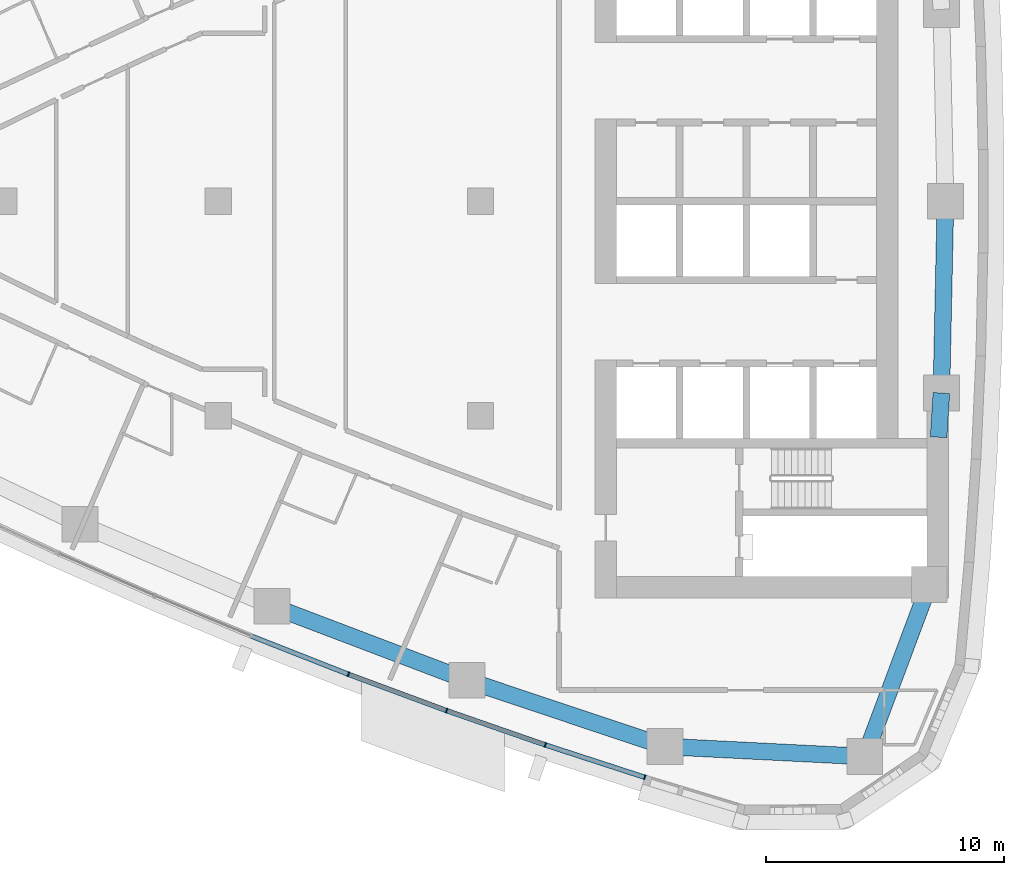
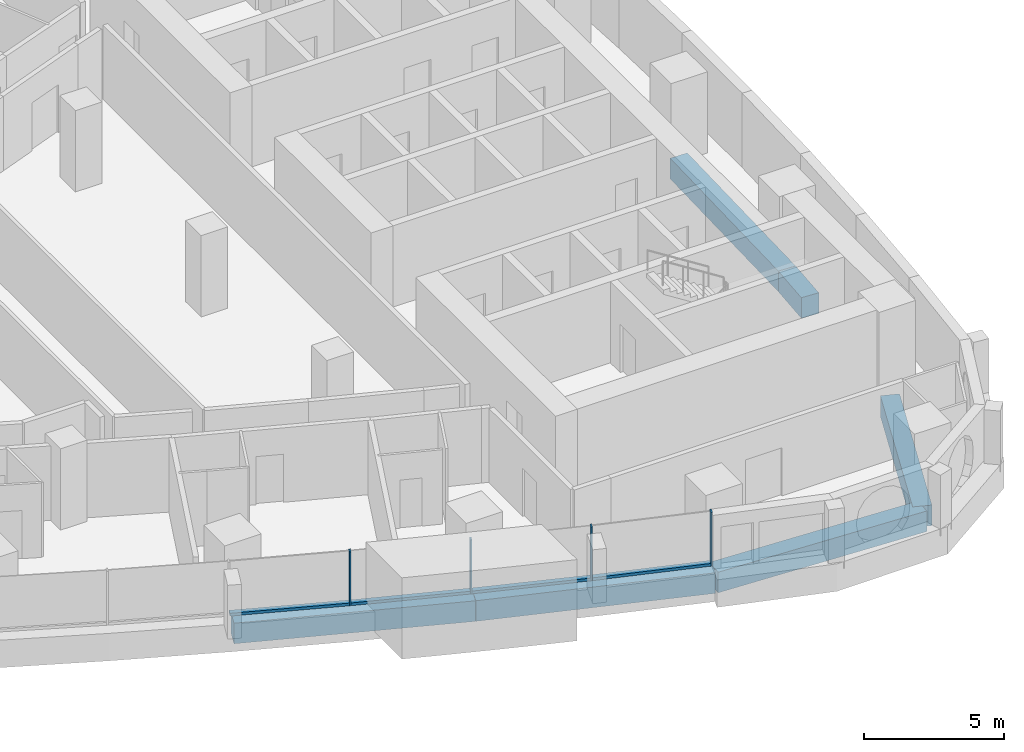
# One storey, part 3 of 17: 8 members, 6 beams, 2 elements without a shape of their own.
"""IFC4 building model written with IfcOpenShell, lengths in metres."""

from ifc_helpers import new_model, si_unit, direction, frame, origin, origin_2d, place, context, subcontext, project, spatial, rectangle, extrude, material, layer, layer_set, material_profile, profile_set, type_object, element, aggregate, save


model = new_model("IFC4")

# Units and contexts
model_context = context("Model", 3, precision=1e-05, world=origin(), true_north=direction((0.0, 1.0)))
body_context = subcontext(model_context, "Body", "Model", "MODEL_VIEW")
ifc_project = project(units=[si_unit("LENGTHUNIT", "METRE"), si_unit("AREAUNIT", "SQUARE_METRE"), si_unit("VOLUMEUNIT", "CUBIC_METRE"), si_unit("PLANEANGLEUNIT", "RADIAN"), si_unit("MASSUNIT", "GRAM", prefix="KILO")], contexts=[model_context])

# Site, building, storey
site_placement = place(None, origin())
site = spatial("IfcSite", under=ifc_project, at=site_placement, CompositionType="ELEMENT")
building_placement = place(site_placement, origin())
building = spatial("IfcBuilding", under=site, at=building_placement, Name="Ostrand Prow Hotel Tower", CompositionType="ELEMENT")
storey_placement = place(building_placement, frame((0.0, 0.0, 140.85009765625)))
storey = spatial("IfcBuildingStorey", under=building, at=storey_placement, Name="L34", CompositionType="ELEMENT", Elevation=140.85009765625)

# Beams
ifc_material_1 = material(Name="Concrete C70/85", Category="concrete")
ifc_material_profile_1 = material_profile(ifc_material_1, rectangle(XDim=0.699951171875, YDim=0.89990234375, at=origin_2d()), Name="RC 700x900")
ifc_profile_set_1 = profile_set([ifc_material_profile_1], Name="Concrete C70/85")
beam_type = type_object("IfcBeamType", Name="Edge beam 700x900 C70/85", PredefinedType="SPANDREL", material=ifc_profile_set_1)
for number, where, z_axis, x_axis, name in (
    (1, (36.255615234375, -16.98388671875, -0.75), (0.93479358236, -0.355191439055, 0.0), (0.355191439055, 0.93479358236, 0.0), "Edge beam S4-S5"),
    (2, (44.438232421875, -20.093017578125, -0.75), (0.948376051094, -0.317148018616, 0.0), (0.317148018616, 0.948376051094, 0.0), "Edge beam S5-S6"),
):
    element("IfcBeam", number, at=place(storey_placement, frame(where, z_axis=z_axis, x_axis=x_axis)), inside=storey, type_object=beam_type, Name=name, PredefinedType="SPANDREL", context=body_context, shape_type="SweptSolid", body=[
        extrude(rectangle(XDim=0.699951171875, YDim=0.89990234375, at=origin_2d()), origin(), (0.0, 0.0, 1.0), 8.75341796875),
    ])
beam_1_placement = place(storey_placement, frame((52.73974609375, -22.869140625, -0.75), z_axis=(0.99873741544, -0.050235196825, 0.0), x_axis=(0.050235196825, 0.99873741544, 0.0)))
element("IfcBeam", 3, at=beam_1_placement, inside=storey, type_object=beam_type, Name="Edge beam S6-SE", PredefinedType="SPANDREL", context=body_context, shape_type="SweptSolid", body=[
    extrude(rectangle(XDim=0.699951171875, YDim=0.89990234375, at=origin_2d()), origin(), (0.0, 0.0, 1.0), 8.38818359375),
])
beam_2_placement = place(storey_placement, frame((61.117431640625, -23.29052734375, -0.75), z_axis=(0.350602524344, 0.93652435629, 0.0), x_axis=(-0.93652435629, 0.350602524344, 0.0)))
element("IfcBeam", 4, at=beam_2_placement, inside=storey, type_object=beam_type, Name="Edge beam SE-B1", PredefinedType="SPANDREL", context=body_context, shape_type="SweptSolid", body=[
    extrude(rectangle(XDim=0.699951171875, YDim=0.89990234375, at=origin_2d()), origin(), (0.0, 0.0, 1.0), 7.037353515625),
])
beam_3_placement = place(storey_placement, frame((64.21142578125, -9.89990234375, -0.75), z_axis=(0.063563790544, 0.997977777574, 0.0), x_axis=(-0.997977777574, 0.063563790544, 0.0)))
element("IfcBeam", 5, at=beam_3_placement, inside=storey, type_object=beam_type, Name="Edge beam B1-B2", PredefinedType="SPANDREL", context=body_context, shape_type="SweptSolid", body=[
    extrude(rectangle(XDim=0.699951171875, YDim=0.89990234375, at=origin_2d()), origin(), (0.0, 0.0, 1.0), 1.85888671875),
])
beam_4_placement = place(storey_placement, frame((64.32958984375, -8.044677734375, -0.75), z_axis=(0.021178217658, 0.999775716397, 0.0), x_axis=(-0.999775716397, 0.021178217658, 0.0)))
element("IfcBeam", 6, at=beam_4_placement, inside=storey, type_object=beam_type, Name="Edge beam B2-B3", PredefinedType="SPANDREL", context=body_context, shape_type="SweptSolid", body=[
    extrude(rectangle(XDim=0.699951171875, YDim=0.89990234375, at=origin_2d()), origin(), (0.0, 0.0, 1.0), 8.04638671875),
])

# Curtain wall, members
ifc_material_2 = material(Name="Insulated glass in bronze anodised frame", Category="glass")
ifc_layer = layer(ifc_material_2, 0.199951171875)
ifc_layer_set = layer_set([ifc_layer], Name="Insulated glass in bronze anodised frame")
curtain_wall_type = type_object("IfcCurtainWallType", Name="Strip curtain wall, fritted glass over bronze spandrel", PredefinedType="NOTDEFINED", material=ifc_layer_set)
curtain_wall_1_placement = place(storey_placement, origin())
curtain_wall_1 = element("IfcCurtainWall", 7, at=curtain_wall_1_placement, inside=storey, type_object=curtain_wall_type, Name="CW1 run CWS4", PredefinedType="NOTDEFINED")
ifc_material_3 = material(Name="Bronze anodised aluminium", Category="aluminium")
ifc_material_profile_2 = material_profile(ifc_material_3, rectangle(XDim=0.199951171875, YDim=0.06005859375, at=origin_2d()), Name="Mullion 60x200 bronze anodised aluminium")
ifc_profile_set_2 = profile_set([ifc_material_profile_2], Name="Bronze anodised aluminium")
member_type_1 = type_object("IfcMemberType", Name="Mullion 60x200 bronze anodised aluminium", PredefinedType="MULLION", material=ifc_profile_set_2)
member_1_placement = place(storey_placement, frame((39.462158203125, -19.8408203125, 0.89990234375), z_axis=(0.0, 0.0, 1.0), x_axis=(0.347341576459, 0.937738678558, 0.0)))
member_1 = element("IfcMember", 8, at=member_1_placement, type_object=member_type_1, Name="CW1 mullion 2", PredefinedType="MULLION", context=body_context, shape_type="SweptSolid", body=[
    extrude(rectangle(XDim=0.199951171875, YDim=0.06005859375, at=origin_2d()), origin(), (0.0, 0.0, 1.0), 2.35009765625),
])
member_2_placement = place(storey_placement, frame((43.5751953125, -21.3642578125, 0.89990234375), z_axis=(0.0, 0.0, 1.0), x_axis=(0.347341576459, 0.937738678558, 0.0)))
member_2 = element("IfcMember", 9, at=member_2_placement, type_object=member_type_1, Name="CW1 mullion 3", PredefinedType="MULLION", context=body_context, shape_type="SweptSolid", body=[
    extrude(rectangle(XDim=0.199951171875, YDim=0.06005859375, at=origin_2d()), origin(), (0.0, 0.0, 1.0), 2.35009765625),
])

curtain_wall_2_placement = place(storey_placement, origin())
curtain_wall_2 = element("IfcCurtainWall", 10, at=curtain_wall_2_placement, inside=storey, type_object=curtain_wall_type, Name="CW1 run CWS5", PredefinedType="NOTDEFINED")
member_3_placement = place(storey_placement, frame((47.718017578125, -22.8046875, 0.89990234375), z_axis=(0.0, 0.0, 1.0), x_axis=(0.309380491373, 0.950938332153, 0.0)))
member_3 = element("IfcMember", 11, at=member_3_placement, type_object=member_type_1, Name="CW1 mullion 2", PredefinedType="MULLION", context=body_context, shape_type="SweptSolid", body=[
    extrude(rectangle(XDim=0.199951171875, YDim=0.06005859375, at=origin_2d()), origin(), (0.0, 0.0, 1.0), 2.35009765625),
])
member_4_placement = place(storey_placement, frame((51.888916015625, -24.16162109375, 0.89990234375), z_axis=(0.0, 0.0, 1.0), x_axis=(0.309380491373, 0.950938332153, 0.0)))
member_4 = element("IfcMember", 12, at=member_4_placement, type_object=member_type_1, Name="CW1 mullion 3", PredefinedType="MULLION", context=body_context, shape_type="SweptSolid", body=[
    extrude(rectangle(XDim=0.199951171875, YDim=0.06005859375, at=origin_2d()), origin(), (0.0, 0.0, 1.0), 2.35009765625),
])

# Member
ifc_material_4 = material(Name="Bronze anodised aluminium", Category="aluminium")
ifc_material_profile_3 = material_profile(ifc_material_4, rectangle(XDim=0.199951171875, YDim=0.1201171875, at=origin_2d()), Name="Transom 120x200 bronze anodised aluminium")
ifc_profile_set_3 = profile_set([ifc_material_profile_3], Name="Bronze anodised aluminium")
member_type_2 = type_object("IfcMemberType", Name="Transom 120x200 bronze anodised aluminium", PredefinedType="USERDEFINED", material=ifc_profile_set_3)
member_5_placement = place(storey_placement, frame((35.408447265625, -18.245849609375, 0.9599609375), z_axis=(0.930563430162, -0.366130717701, 0.0), x_axis=(0.366130717701, 0.930563430162, 0.0)))
member_5 = element("IfcMember", 13, at=member_5_placement, type_object=member_type_2, Name="CW1 transom 1.1", ObjectType="TRANSOM", PredefinedType="USERDEFINED", context=body_context, shape_type="SweptSolid", body=[
    extrude(rectangle(XDim=0.199951171875, YDim=0.1201171875, at=origin_2d()), origin(), (0.0, 0.0, 1.0), 4.326171875),
])

member_6_placement = place(storey_placement, frame((39.490234375, -19.851318359375, 0.9599609375), z_axis=(0.937756929379, -0.347292299657, 0.0), x_axis=(0.347292299657, 0.937756929379, 0.0)))
member_6 = element("IfcMember", 14, at=member_6_placement, type_object=member_type_2, Name="CW1 transom 2.1", ObjectType="TRANSOM", PredefinedType="USERDEFINED", context=body_context, shape_type="SweptSolid", body=[
    extrude(rectangle(XDim=0.199951171875, YDim=0.1201171875, at=origin_2d()), origin(), (0.0, 0.0, 1.0), 4.326171875),
])

aggregate(curtain_wall_1, [member_1, member_2, member_5, member_6])

member_7_placement = place(storey_placement, frame((43.603515625, -21.3740234375, 0.9599609375), z_axis=(0.944524201162, -0.328441826538, 0.0), x_axis=(0.328441826538, 0.944524201162, 0.0)))
member_7 = element("IfcMember", 15, at=member_7_placement, type_object=member_type_2, Name="CW1 transom 1.1", ObjectType="TRANSOM", PredefinedType="USERDEFINED", context=body_context, shape_type="SweptSolid", body=[
    extrude(rectangle(XDim=0.199951171875, YDim=0.1201171875, at=origin_2d()), origin(), (0.0, 0.0, 1.0), 4.326171875),
])

member_8_placement = place(storey_placement, frame((47.74658203125, -22.81396484375, 0.9599609375), z_axis=(0.950938634958, -0.309379560643, 0.0), x_axis=(0.309379560643, 0.950938634958, 0.0)))
member_8 = element("IfcMember", 16, at=member_8_placement, type_object=member_type_2, Name="CW1 transom 2.1", ObjectType="TRANSOM", PredefinedType="USERDEFINED", context=body_context, shape_type="SweptSolid", body=[
    extrude(rectangle(XDim=0.199951171875, YDim=0.1201171875, at=origin_2d()), origin(), (0.0, 0.0, 1.0), 4.325927734375),
])

aggregate(curtain_wall_2, [member_3, member_4, member_7, member_8])

save(model, "model.ifc")
